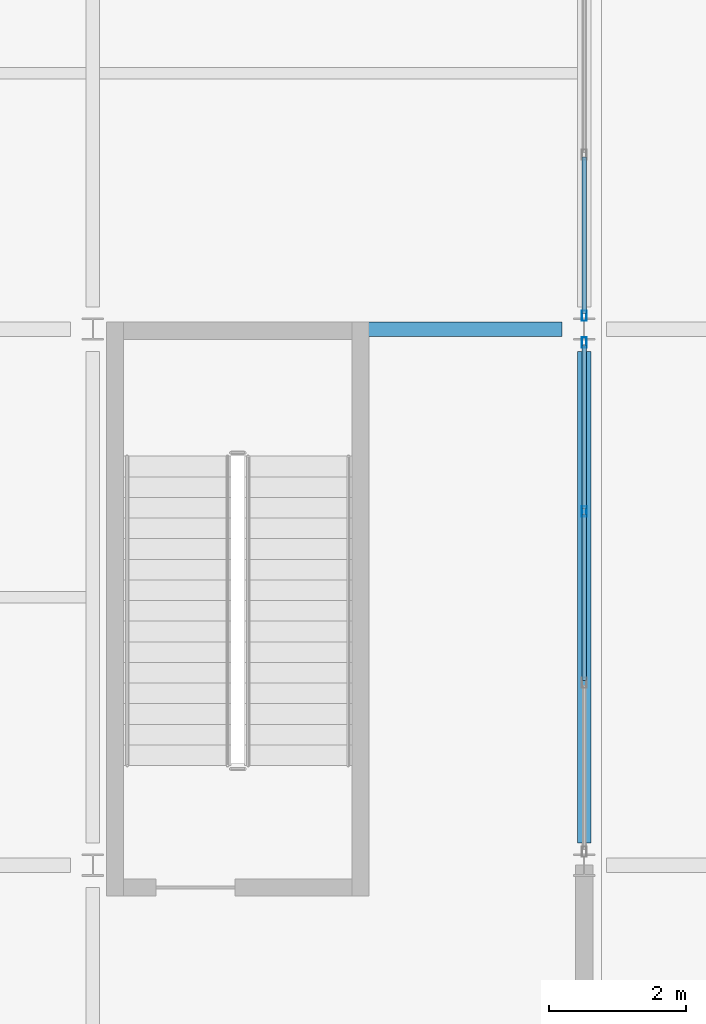
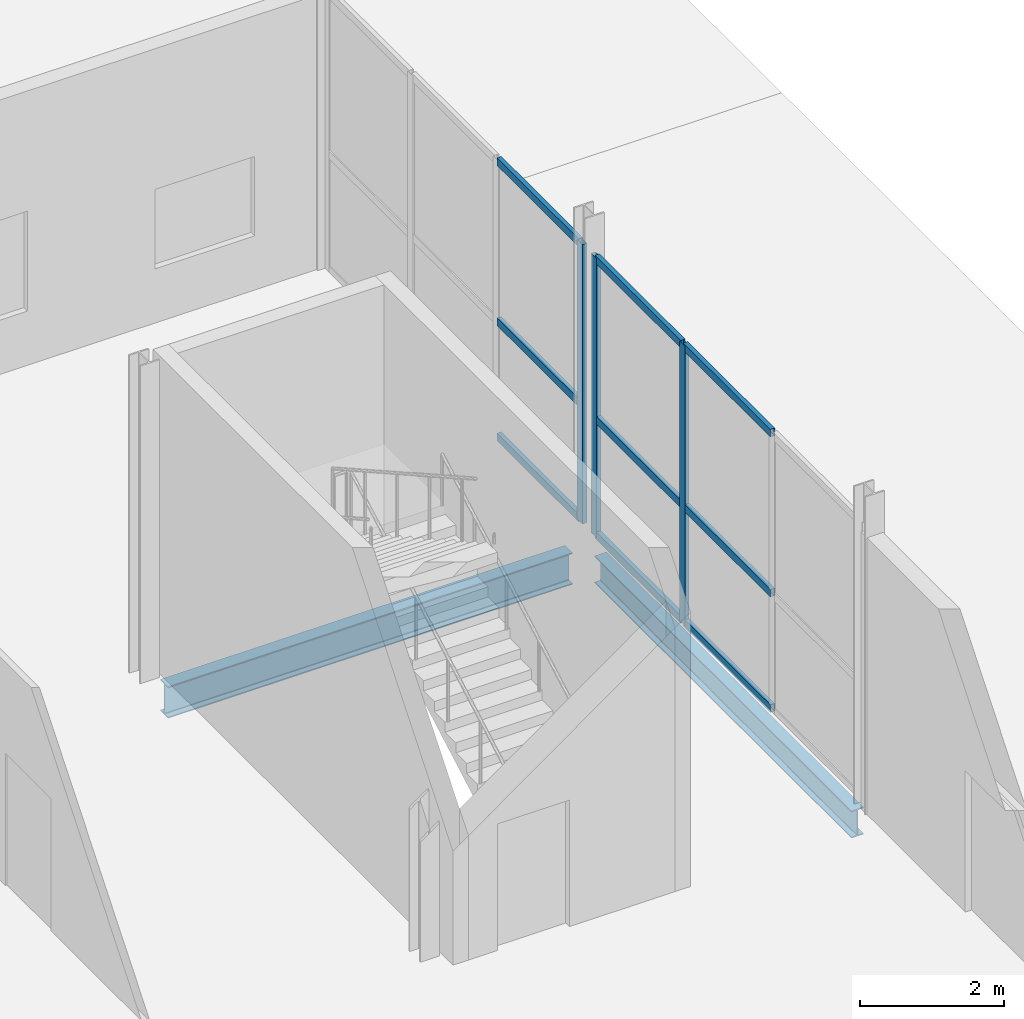
# One storey, part 19 of 83: 12 members, 2 beams, 2 elements without a shape of their own.
"""IFC4 building model written with IfcOpenShell, lengths in metres."""

from ifc_helpers import new_model, si_unit, direction, frame, origin, origin_2d, place, context, subcontext, project, spatial, hollow_rectangle, i_section, extrude, material, layer, layer_set, material_profile, profile_set, type_object, element, aggregate, save


model = new_model("IFC4")

# Units and contexts
model_context = context("Model", 3, precision=1e-05, world=origin(), true_north=direction((0.0, 1.0)))
body_context = subcontext(model_context, "Body", "Model", "MODEL_VIEW")
ifc_project = project(units=[si_unit("LENGTHUNIT", "METRE"), si_unit("AREAUNIT", "SQUARE_METRE"), si_unit("VOLUMEUNIT", "CUBIC_METRE"), si_unit("PLANEANGLEUNIT", "RADIAN"), si_unit("MASSUNIT", "GRAM", prefix="KILO")], contexts=[model_context])

# Site, building, storey
site_placement = place(None, origin())
site = spatial("IfcSite", under=ifc_project, at=site_placement, CompositionType="ELEMENT")
building_placement = place(site_placement, origin())
building = spatial("IfcBuilding", under=site, at=building_placement, Name="Quillay Park Conservatory", CompositionType="ELEMENT")
storey_placement = place(building_placement, origin())
storey = spatial("IfcBuildingStorey", under=building, at=storey_placement, Name="L00", CompositionType="ELEMENT", Elevation=0.0)

# Curtain wall, members
ifc_material_1 = material(Name="Thermally Broken Anodised Aluminium 6063-T6", Category="aluminium")
ifc_layer = layer(ifc_material_1, 0.1650390625)
ifc_layer_set = layer_set([ifc_layer], Name="UNITISED CURTAIN WALL PODIUM (Thermally Broken Anodised Aluminium 6063-T6)")
curtain_wall_type = type_object("IfcCurtainWallType", Name="UNITISED CURTAIN WALL PODIUM", PredefinedType="USERDEFINED", material=ifc_layer_set)
curtain_wall_1_placement = place(storey_placement, origin())
curtain_wall_1 = element("IfcCurtainWall", 1, at=curtain_wall_1_placement, inside=storey, type_object=curtain_wall_type, Name="L00 Unitised Curtain Wall 198", ObjectType="UNITISED CURTAIN WALL", PredefinedType="USERDEFINED")
ifc_material_2 = material(Name="Thermally Broken Anodised Aluminium 6063-T6", Category="aluminium")
ifc_material_profile_1 = material_profile(ifc_material_2, hollow_rectangle(XDim=0.070068359375, YDim=0.14990234375, WallThickness=0.00341796875, at=origin_2d()), Name="AL70x150x3.5")
ifc_profile_set_1 = profile_set([ifc_material_profile_1], Name="Thermally Broken Anodised Aluminium 6063-T6")
member_type_1 = type_object("IfcMemberType", Name="CURTAIN WALL MULLION 70 X150", PredefinedType="MULLION", material=ifc_profile_set_1)
member_1_placement = place(storey_placement, frame((22.14990234375, 46.60498046875, 0.0), z_axis=(0.0, 0.0, 1.0), x_axis=(1.0, 0.0, 0.0)))
member_1 = element("IfcMember", 2, at=member_1_placement, type_object=member_type_1, Name="CW-P1 mullion 1", PredefinedType="MULLION", context=body_context, shape_type="SweptSolid", body=[
    extrude(hollow_rectangle(XDim=0.070068359375, YDim=0.14990234375, WallThickness=0.00341796875, at=origin_2d()), origin(), (0.0, 0.0, 1.0), 4.7490234375),
])
member_2_placement = place(storey_placement, frame((22.14990234375, 44.146728515625, 0.0), z_axis=(0.0, 0.0, 1.0), x_axis=(1.0, 0.0, 0.0)))
member_2 = element("IfcMember", 3, at=member_2_placement, type_object=member_type_1, Name="CW-P1 mullion 2", PredefinedType="MULLION", context=body_context, shape_type="SweptSolid", body=[
    extrude(hollow_rectangle(XDim=0.070068359375, YDim=0.14990234375, WallThickness=0.00341796875, at=origin_2d()), origin(), (0.0, 0.0, 1.0), 4.7490234375),
])

# Curtain wall, member
curtain_wall_2_placement = place(storey_placement, origin())
curtain_wall_2 = element("IfcCurtainWall", 4, at=curtain_wall_2_placement, inside=storey, type_object=curtain_wall_type, Name="L00 Unitised Curtain Wall 199", ObjectType="UNITISED CURTAIN WALL", PredefinedType="USERDEFINED")
member_3_placement = place(storey_placement, frame((22.14990234375, 46.9951171875, 0.0), z_axis=(0.0, 0.0, 1.0), x_axis=(1.0, 0.0, 0.0)))
member_3 = element("IfcMember", 5, at=member_3_placement, type_object=member_type_1, Name="CW-P1 mullion 4", PredefinedType="MULLION", context=body_context, shape_type="SweptSolid", body=[
    extrude(hollow_rectangle(XDim=0.070068359375, YDim=0.14990234375, WallThickness=0.00341796875, at=origin_2d()), origin(), (0.0, 0.0, 1.0), 4.7490234375),
])

# Member
ifc_material_3 = material(Name="Thermally Broken Anodised Aluminium 6063-T6", Category="aluminium")
ifc_material_profile_2 = material_profile(ifc_material_3, hollow_rectangle(XDim=0.070068359375, YDim=0.1298828125, WallThickness=0.003173828125, at=origin_2d()), Name="AL70x130x3.2")
ifc_profile_set_2 = profile_set([ifc_material_profile_2], Name="Thermally Broken Anodised Aluminium 6063-T6")
member_type_2 = type_object("IfcMemberType", Name="CURTAIN WALL TRANSOM 70 X130", PredefinedType="USERDEFINED", material=ifc_profile_set_2)
member_4_placement = place(storey_placement, frame((22.14990234375, 46.570068359375, 0.034912109375), z_axis=(0.0, -1.0, 0.0), x_axis=(1.0, 0.0, 0.0)))
member_4 = element("IfcMember", 6, at=member_4_placement, type_object=member_type_2, Name="CW-P1 transom 1.1", ObjectType="TRANSOM", PredefinedType="USERDEFINED", context=body_context, shape_type="SweptSolid", body=[
    extrude(hollow_rectangle(XDim=0.070068359375, YDim=0.1298828125, WallThickness=0.003173828125, at=origin_2d()), origin(), (0.0, 0.0, 1.0), 2.388427734375),
])

member_5_placement = place(storey_placement, frame((22.14990234375, 46.570068359375, 1.99462890625), z_axis=(0.0, -1.0, 0.0), x_axis=(1.0, 0.0, 0.0)))
member_5 = element("IfcMember", 7, at=member_5_placement, type_object=member_type_2, Name="CW-P1 transom 1.2", ObjectType="TRANSOM", PredefinedType="USERDEFINED", context=body_context, shape_type="SweptSolid", body=[
    extrude(hollow_rectangle(XDim=0.070068359375, YDim=0.1298828125, WallThickness=0.003173828125, at=origin_2d()), origin(), (0.0, 0.0, 1.0), 2.388427734375),
])

member_6_placement = place(storey_placement, frame((22.14990234375, 46.570068359375, 4.714111328125), z_axis=(0.0, -1.0, 0.0), x_axis=(1.0, 0.0, 0.0)))
member_6 = element("IfcMember", 8, at=member_6_placement, type_object=member_type_2, Name="CW-P1 transom 1.3", ObjectType="TRANSOM", PredefinedType="USERDEFINED", context=body_context, shape_type="SweptSolid", body=[
    extrude(hollow_rectangle(XDim=0.070068359375, YDim=0.1298828125, WallThickness=0.003173828125, at=origin_2d()), origin(), (0.0, 0.0, 1.0), 2.388427734375),
])

member_7_placement = place(storey_placement, frame((22.14990234375, 44.111572265625, 0.034912109375), z_axis=(0.0, -1.0, 0.0), x_axis=(1.0, 0.0, 0.0)))
member_7 = element("IfcMember", 9, at=member_7_placement, type_object=member_type_2, Name="CW-P1 transom 2.1", ObjectType="TRANSOM", PredefinedType="USERDEFINED", context=body_context, shape_type="SweptSolid", body=[
    extrude(hollow_rectangle(XDim=0.070068359375, YDim=0.1298828125, WallThickness=0.003173828125, at=origin_2d()), origin(), (0.0, 0.0, 1.0), 2.42333984375),
])

member_8_placement = place(storey_placement, frame((22.14990234375, 44.111572265625, 1.99462890625), z_axis=(0.0, -1.0, 0.0), x_axis=(1.0, 0.0, 0.0)))
member_8 = element("IfcMember", 10, at=member_8_placement, type_object=member_type_2, Name="CW-P1 transom 2.2", ObjectType="TRANSOM", PredefinedType="USERDEFINED", context=body_context, shape_type="SweptSolid", body=[
    extrude(hollow_rectangle(XDim=0.070068359375, YDim=0.1298828125, WallThickness=0.003173828125, at=origin_2d()), origin(), (0.0, 0.0, 1.0), 2.42333984375),
])

member_9_placement = place(storey_placement, frame((22.14990234375, 44.111572265625, 4.714111328125), z_axis=(0.0, -1.0, 0.0), x_axis=(1.0, 0.0, 0.0)))
member_9 = element("IfcMember", 11, at=member_9_placement, type_object=member_type_2, Name="CW-P1 transom 2.3", ObjectType="TRANSOM", PredefinedType="USERDEFINED", context=body_context, shape_type="SweptSolid", body=[
    extrude(hollow_rectangle(XDim=0.070068359375, YDim=0.1298828125, WallThickness=0.003173828125, at=origin_2d()), origin(), (0.0, 0.0, 1.0), 2.42333984375),
])

aggregate(curtain_wall_1, [member_1, member_2, member_4, member_5, member_6, member_7, member_8, member_9])

member_10_placement = place(storey_placement, frame((22.14990234375, 49.3017578125, 0.034912109375), z_axis=(0.0, -1.0, 0.0), x_axis=(1.0, 0.0, 0.0)))
member_10 = element("IfcMember", 12, at=member_10_placement, type_object=member_type_2, Name="CW-P1 transom 3.1", ObjectType="TRANSOM", PredefinedType="USERDEFINED", context=body_context, shape_type="SweptSolid", body=[
    extrude(hollow_rectangle(XDim=0.070068359375, YDim=0.1298828125, WallThickness=0.003173828125, at=origin_2d()), origin(), (0.0, 0.0, 1.0), 2.271728515625),
])

member_11_placement = place(storey_placement, frame((22.14990234375, 49.3017578125, 1.99462890625), z_axis=(0.0, -1.0, 0.0), x_axis=(1.0, 0.0, 0.0)))
member_11 = element("IfcMember", 13, at=member_11_placement, type_object=member_type_2, Name="CW-P1 transom 3.2", ObjectType="TRANSOM", PredefinedType="USERDEFINED", context=body_context, shape_type="SweptSolid", body=[
    extrude(hollow_rectangle(XDim=0.070068359375, YDim=0.1298828125, WallThickness=0.003173828125, at=origin_2d()), origin(), (0.0, 0.0, 1.0), 2.271728515625),
])

member_12_placement = place(storey_placement, frame((22.14990234375, 49.3017578125, 4.714111328125), z_axis=(0.0, -1.0, 0.0), x_axis=(1.0, 0.0, 0.0)))
member_12 = element("IfcMember", 14, at=member_12_placement, type_object=member_type_2, Name="CW-P1 transom 3.3", ObjectType="TRANSOM", PredefinedType="USERDEFINED", context=body_context, shape_type="SweptSolid", body=[
    extrude(hollow_rectangle(XDim=0.070068359375, YDim=0.1298828125, WallThickness=0.003173828125, at=origin_2d()), origin(), (0.0, 0.0, 1.0), 2.271728515625),
])

aggregate(curtain_wall_2, [member_3, member_10, member_11, member_12])

# Beams
ifc_material_4 = material(Name="Steel ASTM A992 Grade 50", Category="steel")
ifc_material_profile_3 = material_profile(ifc_material_4, i_section(OverallWidth=0.19189453125, OverallDepth=0.462890625, WebThickness=0.010498046875, FlangeThickness=0.017578125, FilletRadius=0.012939453125, at=origin_2d()), Name="W460x89")
ifc_profile_set_3 = profile_set([ifc_material_profile_3], Name="Steel ASTM A992 Grade 50")
beam_type_1 = type_object("IfcBeamType", Name="PRIMARY FLOOR GIRDER W460 X89", PredefinedType="BEAM", material=ifc_profile_set_3)
beam_1_placement = place(storey_placement, frame((22.14990234375, 39.324951171875, -0.4814453125), z_axis=(0.0, 1.0, 0.0), x_axis=(-1.0, 0.0, 0.0)))
element("IfcBeam", 15, at=beam_1_placement, inside=storey, type_object=beam_type_1, Name="L00 beam BM-V3Y-1234", PredefinedType="BEAM", context=body_context, shape_type="SweptSolid", body=[
    extrude(i_section(OverallWidth=0.19189453125, OverallDepth=0.462890625, WebThickness=0.010498046875, FlangeThickness=0.017578125, FilletRadius=0.012939453125, at=origin_2d()), origin(), (0.0, 0.0, 1.0), 7.150146484375),
])
ifc_material_5 = material(Name="Steel ASTM A992 Grade 50", Category="steel")
ifc_material_profile_4 = material_profile(ifc_material_5, i_section(OverallWidth=0.2109375, OverallDepth=0.5390625, WebThickness=0.01171875, FlangeThickness=0.018798828125, FilletRadius=0.013916015625, at=origin_2d()), Name="W530x109")
ifc_profile_set_4 = profile_set([ifc_material_profile_4], Name="Steel ASTM A992 Grade 50")
beam_type_2 = type_object("IfcBeamType", Name="PRIMARY FLOOR GIRDER W530 X109", PredefinedType="BEAM", material=ifc_profile_set_4)
beam_2_placement = place(storey_placement, frame((15.324951171875, 46.800048828125, -0.51953125), z_axis=(1.0, 0.0, 0.0), x_axis=(0.0, 1.0, 0.0)))
element("IfcBeam", 16, at=beam_2_placement, inside=storey, type_object=beam_type_2, Name="L00 beam BM-V3X-1202", PredefinedType="BEAM", context=body_context, shape_type="SweptSolid", body=[
    extrude(i_section(OverallWidth=0.2109375, OverallDepth=0.5390625, WebThickness=0.01171875, FlangeThickness=0.018798828125, FilletRadius=0.013916015625, at=origin_2d()), origin(), (0.0, 0.0, 1.0), 6.5),
])

save(model, "model.ifc")
